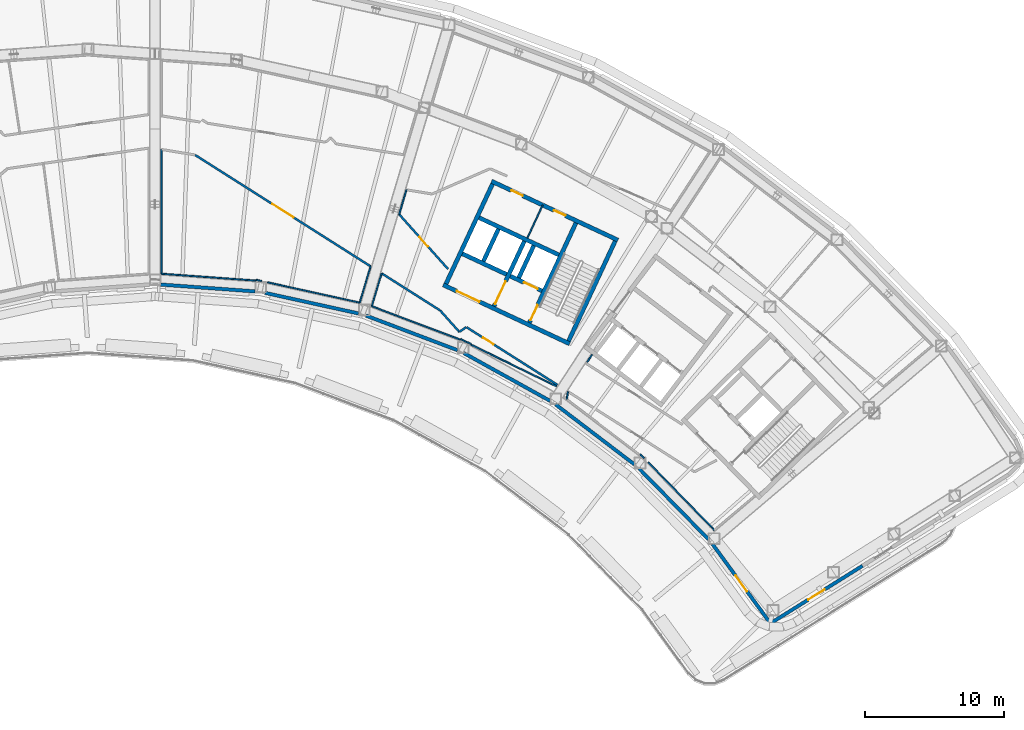
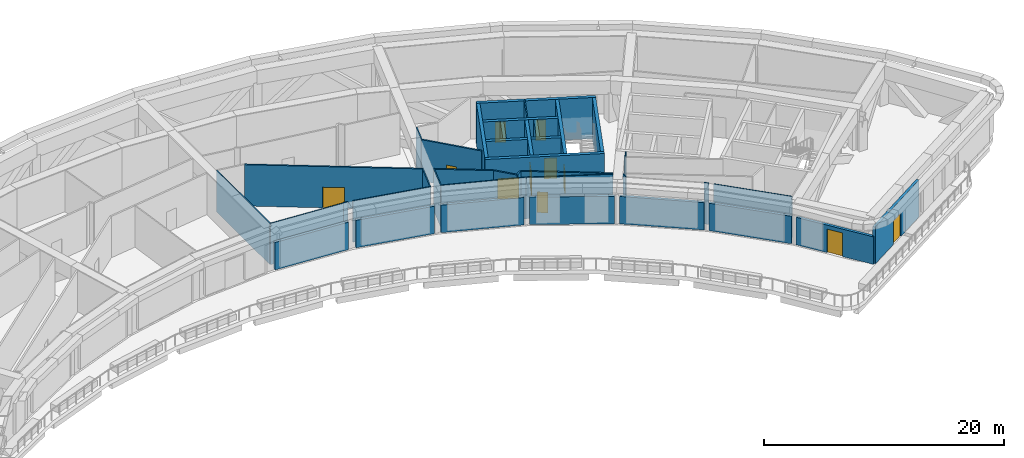
# One storey, part 9 of 25: 41 walls, 11 doors, 11 openings.
"""IFC4 building model written with IfcOpenShell, lengths in metres."""

import ifcopenshell
import ifcopenshell.guid

model = None  # the IFC model being written
_history = None  # IfcOwnerHistory: only IFC2X3 demands one
_inside = {}  # id of a spatial element -> (the spatial element, [elements in it])
_under = {}  # id of a project, library or spatial element -> (it, [spatial elements below it])
_declared = {}  # id of a project -> (the project, [libraries it declares])
_typed = {}  # id of a type object -> (the type object, [elements of that type])
_made_of = {}  # id of a material, layer set ... -> (it, [elements and type objects made of it])


def new_model(schema):
    """Start an empty IFC model of exactly this schema.

    Asked for "IFC4X3", IfcOpenShell would pick the latest addendum, in which some entities
    have other attributes; the version numbers below select the first issue.
    IFC2X3 requires an IfcOwnerHistory on every rooted entity: one is made here for all.
    """
    global model, _history
    if schema == "IFC4X3":
        model = ifcopenshell.file(schema_version=(4, 3, 0, 0))
    else:
        model = ifcopenshell.file(schema=schema)
    _inside.clear()
    _under.clear()
    _declared.clear()
    _typed.clear()
    _made_of.clear()
    _history = None
    if model.schema == "IFC2X3":
        org = make("IfcOrganization", Name="unknown")
        user = make(
            "IfcPersonAndOrganization",
            ThePerson=make("IfcPerson", FamilyName="unknown"),
            TheOrganization=org,
        )
        app = make(
            "IfcApplication",
            ApplicationDeveloper=org,
            Version="unknown",
            ApplicationFullName="unknown",
            ApplicationIdentifier="unknown",
        )
        _history = make(
            "IfcOwnerHistory",
            OwningUser=user,
            OwningApplication=app,
            ChangeAction="ADDED",
            CreationDate=0,
        )
    return model


def make(cls, **values):
    """One entity of the class cls with the attributes given. An attribute that is None is left unset."""
    return model.create_entity(
        cls, **{name: value for name, value in values.items() if value is not None}
    )


def rooted(cls, **values):
    """An entity with a GlobalId (a new one), such as an element, a storey or a relation."""
    return make(cls, GlobalId=ifcopenshell.guid.new(), OwnerHistory=_history, **values)


def si_unit(unit_type, name, prefix=None):
    """IfcSIUnit, for example si_unit("LENGTHUNIT", "METRE", prefix="MILLI")."""
    return make("IfcSIUnit", UnitType=unit_type, Prefix=prefix, Name=name)


def assignment(units):
    """IfcUnitAssignment: the units of a project."""
    return None if units is None else make("IfcUnitAssignment", Units=units)


def point(xyz):
    """IfcCartesianPoint."""
    return None if xyz is None else make("IfcCartesianPoint", Coordinates=xyz)


def direction(xyz):
    """IfcDirection."""
    return None if xyz is None else make("IfcDirection", DirectionRatios=xyz)


def frame(location, z_axis=None, x_axis=None):
    """IfcAxis2Placement3D, a coordinate frame: its origin and axes. An axis left out is left unset."""
    return make(
        "IfcAxis2Placement3D",
        Location=point(location),
        Axis=direction(z_axis),
        RefDirection=direction(x_axis),
    )


def frame_2d(location, x_axis=None):
    """IfcAxis2Placement2D, a coordinate frame in the plane: its origin and x axis."""
    return make(
        "IfcAxis2Placement2D", Location=point(location), RefDirection=direction(x_axis)
    )


def origin():
    """The frame at (0, 0, 0) with its axes left unset."""
    return frame((0.0, 0.0, 0.0))


def place(relative_to, where):
    """IfcLocalPlacement: puts the frame where relative to a parent placement (None: the world)."""
    return make(
        "IfcLocalPlacement", PlacementRelTo=relative_to, RelativePlacement=where
    )


def context(
    kind, dimensions, precision=None, world=None, true_north=None, identifier=None
):
    """IfcGeometricRepresentationContext, for example the 3D "Model" context."""
    return make(
        "IfcGeometricRepresentationContext",
        ContextIdentifier=identifier,
        ContextType=kind,
        CoordinateSpaceDimension=dimensions,
        Precision=precision,
        WorldCoordinateSystem=world,
        TrueNorth=true_north,
    )


def subcontext(parent, identifier, kind, view, scale=None):
    """IfcGeometricRepresentationSubContext, for example "Body" below "Model"."""
    return make(
        "IfcGeometricRepresentationSubContext",
        ContextIdentifier=identifier,
        ContextType=kind,
        ParentContext=parent,
        TargetScale=scale,
        TargetView=view,
    )


def project(units=None, contexts=None):
    """IfcProject with its units and contexts."""
    return rooted(
        "IfcProject",
        Name="project",
        RepresentationContexts=contexts,
        UnitsInContext=assignment(units),
    )


def spatial(cls, under=None, at=None, **own):
    """A site, building, storey or space (cls), placed at a placement, below another one or the project."""
    s = rooted(cls, ObjectPlacement=at, **own)
    if under is not None:
        _under.setdefault(under.id(), (under, []))[1].append(s)
    return s


def profile(cls, at=None, kind="AREA", **sizes):
    """A parametric profile (cls). Its sizes go by their IFC names, for example OverallWidth=200.0."""
    return make(cls, ProfileType=kind, Position=at, **sizes)


def rectangle(**sizes):
    """IfcRectangleProfileDef."""
    return profile("IfcRectangleProfileDef", **sizes)


def extrude(swept, where, along, depth):
    """IfcExtrudedAreaSolid: the profile swept, set in the frame where, extruded along a direction by depth."""
    return make(
        "IfcExtrudedAreaSolid",
        SweptArea=swept,
        Position=where,
        ExtrudedDirection=direction(along),
        Depth=depth,
    )


def shape(context_of_items, identifier, shape_type, items):
    """IfcShapeRepresentation: the items that make up one representation, for example the "Body"."""
    return make(
        "IfcShapeRepresentation",
        ContextOfItems=context_of_items,
        RepresentationIdentifier=identifier,
        RepresentationType=shape_type,
        Items=items,
    )


def material(Name=None, Category=None):
    """IfcMaterial."""
    return make("IfcMaterial", Name=Name, Category=Category)


def layer(
    of_material, thickness, ventilated=None, Name=None, Category=None, Priority=None
):
    """IfcMaterialLayer: one layer of a wall or slab, of a material (None: an air gap)."""
    return make(
        "IfcMaterialLayer",
        Material=of_material,
        LayerThickness=thickness,
        IsVentilated=ventilated,
        Name=Name,
        Category=Category,
        Priority=Priority,
    )


def layer_set(layers, Name=None):
    """IfcMaterialLayerSet."""
    return make("IfcMaterialLayerSet", MaterialLayers=layers, LayerSetName=Name)


def made_of(thing, what):
    """Note that an element or type object is made of a material, layer set ...; save() writes the relation."""
    if what is not None:
        _made_of.setdefault(what.id(), (what, []))[1].append(thing)
    return thing


def type_object(cls, material=None, **own):
    """A type object (cls), such as IfcWallType, which elements share."""
    return made_of(rooted(cls, **own), material)


def element(
    cls,
    number,
    at=None,
    inside=None,
    cuts=None,
    type_object=None,
    material=None,
    context=None,
    identifier="Body",
    shape_type=None,
    held_by="IfcProductDefinitionShape",
    body=None,
    shapes=None,
    **own,
):
    """One element of the class cls, such as IfcWall. Its Tag is "e" and its number.

    at: its placement. inside: the storey or other place that contains it. cuts: it is an
    opening in that element (IfcRelVoidsElement). A single representation is given by context,
    identifier, shape_type and body (its items); several are given by shapes. held_by: the class
    of the entity that holds the representations. save() writes the other relations.
    """
    e = rooted(cls, Tag="e%d" % number, ObjectPlacement=at, **own)
    if body is not None:
        shapes = [shape(context, identifier, shape_type, body)]
    if shapes is not None:
        e.Representation = make(held_by, Representations=shapes)
    if inside is not None:
        _inside.setdefault(inside.id(), (inside, []))[1].append(e)
    if cuts is not None:
        rooted(
            "IfcRelVoidsElement", RelatingBuildingElement=cuts, RelatedOpeningElement=e
        )
    if type_object is not None:
        _typed.setdefault(type_object.id(), (type_object, []))[1].append(e)
    return made_of(e, material)


def fill(opening, filler):
    """IfcRelFillsElement: the door or window that sits in an opening."""
    return rooted(
        "IfcRelFillsElement",
        RelatingOpeningElement=opening,
        RelatedBuildingElement=filler,
    )


def aggregate(whole, parts):
    """IfcRelAggregates: a whole, such as a stair, and the parts it consists of."""
    return rooted("IfcRelAggregates", RelatingObject=whole, RelatedObjects=parts)


def save(model, path):
    """Write the relations noted so far, then the file.

    IfcRelAggregates (storeys below a building ...), IfcRelContainedInSpatialStructure (elements
    in a storey), IfcRelDefinesByType, IfcRelAssociatesMaterial and IfcRelDeclares: one each for
    every whole, place, type object, material and project.
    """
    for whole, parts in _under.values():
        aggregate(whole, parts)
    for where, things in _inside.values():
        rooted(
            "IfcRelContainedInSpatialStructure",
            RelatedElements=things,
            RelatingStructure=where,
        )
    for kind, things in _typed.values():
        rooted("IfcRelDefinesByType", RelatedObjects=things, RelatingType=kind)
    for what, things in _made_of.values():
        rooted("IfcRelAssociatesMaterial", RelatedObjects=things, RelatingMaterial=what)
    for by, libraries in _declared.values():
        rooted("IfcRelDeclares", RelatingContext=by, RelatedDefinitions=libraries)
    model.write(path)


model = new_model("IFC4")

# Units and contexts
model_context = context("Model", 3, precision=1e-05, world=origin(), true_north=direction((0.0, 1.0)))
body_context = subcontext(model_context, "Body", "Model", "MODEL_VIEW")
ifc_project = project(units=[si_unit("LENGTHUNIT", "METRE"), si_unit("AREAUNIT", "SQUARE_METRE"), si_unit("VOLUMEUNIT", "CUBIC_METRE"), si_unit("PLANEANGLEUNIT", "RADIAN"), si_unit("MASSUNIT", "GRAM", prefix="KILO")], contexts=[model_context])

# Site, building, storey
site_placement = place(None, origin())
site = spatial("IfcSite", under=ifc_project, at=site_placement, CompositionType="ELEMENT")
building_placement = place(site_placement, origin())
building = spatial("IfcBuilding", under=site, at=building_placement, Name="Tuul Gate Civic Tower", CompositionType="ELEMENT")
storey_placement = place(building_placement, frame((0.0, 0.0, 60.89990234375)))
storey = spatial("IfcBuildingStorey", under=building, at=storey_placement, Name="Plant and refuge floor 2", CompositionType="ELEMENT", Elevation=60.89990234375)

# Wall, opening, door
ifc_material_1 = material(Name="Concrete C50/60", Category="concrete")
ifc_layer_1 = layer(ifc_material_1, 0.300048828125)
ifc_layer_set_1 = layer_set([ifc_layer_1], Name="Concrete C50/60")
wall_type_1 = type_object("IfcWallType", Name="Core wall C50/60", PredefinedType="SHEAR", material=ifc_layer_set_1)
wall_1_placement = place(storey_placement, frame((34.5283203125, -7.25, 0.0), z_axis=(0.0, 0.0, 1.0), x_axis=(-0.906310338845, 0.422612789327, 0.0)))
wall_1 = element("IfcWall", 1, at=wall_1_placement, inside=storey, type_object=wall_type_1, Name="Core wall", PredefinedType="SHEAR", context=body_context, shape_type="SweptSolid", body=[
    extrude(rectangle(XDim=9.999755859375, YDim=0.300048828125, at=frame_2d((5.0, 0.0))), origin(), (0.0, 0.0, 1.0), 4.2001953125),
])
opening_1_placement = place(wall_1_placement, frame((7.125, 0.0, 0.0)))
opening_1 = element("IfcOpeningElement", 2, at=opening_1_placement, cuts=wall_1, Name="Opening LB-E3-LOBBY-1", PredefinedType="OPENING", context=body_context, shape_type="SweptSolid", body=[
    extrude(rectangle(XDim=1.800048828125, YDim=2.10009765625, at=frame_2d((0.89990234375, 1.050048828125))), frame((0.0, 0.16015625, 0.0), z_axis=(0.0, -1.0, 0.0), x_axis=(1.0, 0.0, 0.0)), (0.0, 0.0, 1.0), 0.320068359375),
])
ifc_material_2 = material(Name="Steel", Category="steel")
door_type_1 = type_object("IfcDoorType", Name="Lobby door", OperationType="DOUBLE_DOOR_SINGLE_SWING", PredefinedType="DOOR", material=ifc_material_2)
door_1_placement = place(opening_1_placement, frame((1.800048828125, 0.0, 0.0), z_axis=(0.0, 0.0, 1.0), x_axis=(-1.0, 0.0, 0.0)))
door_1 = element("IfcDoor", 3, at=door_1_placement, inside=storey, type_object=door_type_1, Name="Lobby door E3-LOBBY", OperationType="DOUBLE_DOOR_SINGLE_SWING", OverallHeight=2.10009765625, OverallWidth=1.800048828125, PredefinedType="DOOR", context=body_context, shape_type="SweptSolid", body=[
    extrude(rectangle(XDim=1.800048828125, YDim=2.10009765625, at=frame_2d((0.900146484375, 1.050048828125))), frame((0.0, 0.02490234375, 0.0), z_axis=(0.0, -1.0, 0.0), x_axis=(1.0, 0.0, 0.0)), (0.0, 0.0, 1.0), 0.050048828125),
])
fill(opening_1, door_1)

wall_2_placement = place(storey_placement, frame((32.545654296875, -3.456787109375, 0.0), z_axis=(0.0, 0.0, 1.0), x_axis=(-0.906300357825, 0.42263419337, 0.0)))
wall_2 = element("IfcWall", 4, at=wall_2_placement, inside=storey, type_object=wall_type_1, Name="Core wall", PredefinedType="SHEAR", context=body_context, shape_type="SweptSolid", body=[
    extrude(rectangle(XDim=2.500244140625, YDim=0.300048828125, at=frame_2d((1.25, 0.0))), origin(), (0.0, 0.0, 1.0), 4.2001953125),
])
opening_2_placement = place(wall_2_placement, frame((0.324951171875, 0.0, 0.0)))
opening_2 = element("IfcOpeningElement", 5, at=opening_2_placement, cuts=wall_2, Name="Opening LD-FF-2", PredefinedType="OPENING", context=body_context, shape_type="SweptSolid", body=[
    extrude(rectangle(XDim=1.10009765625, YDim=2.10009765625, at=frame_2d((0.550048828125, 1.050048828125))), frame((0.0, 0.16015625, 0.0), z_axis=(0.0, -1.0, 0.0), x_axis=(1.0, 0.0, 0.0)), (0.0, 0.0, 1.0), 0.320068359375),
])
ifc_material_3 = material(Name="Stainless steel", Category="steel")
door_type_2 = type_object("IfcDoorType", Name="Landing door", OperationType="DOUBLE_DOOR_SLIDING", PredefinedType="DOOR", material=ifc_material_3)
door_2_placement = place(opening_2_placement, origin())
door_2 = element("IfcDoor", 6, at=door_2_placement, inside=storey, type_object=door_type_2, Name="Fire-fighting lift FF-2 landing door", OperationType="DOUBLE_DOOR_SLIDING", OverallHeight=2.10009765625, OverallWidth=1.10009765625, PredefinedType="DOOR", context=body_context, shape_type="SweptSolid", body=[
    extrude(rectangle(XDim=1.10009765625, YDim=2.10009765625, at=frame_2d((0.550048828125, 1.050048828125))), frame((0.0, 0.02490234375, 0.0), z_axis=(0.0, -1.0, 0.0), x_axis=(1.0, 0.0, 0.0)), (0.0, 0.0, 1.0), 0.050048828125),
])
fill(opening_2, door_2)

# Walls
wall_3_placement = place(storey_placement, frame((30.0078125, -2.2734375, 0.0), z_axis=(0.0, 0.0, 1.0), x_axis=(-0.90630071767, 0.422633421716, 0.0)))
element("IfcWall", 7, at=wall_3_placement, inside=storey, type_object=wall_type_1, Name="Core wall", PredefinedType="SHEAR", context=body_context, shape_type="SweptSolid", body=[
    extrude(rectangle(XDim=3.5, YDim=0.300048828125, at=frame_2d((1.75, 0.0))), origin(), (0.0, 0.0, 1.0), 4.2001953125),
])
wall_4_placement = place(storey_placement, frame((33.75, -0.873779296875, 0.0), z_axis=(0.0, 0.0, 1.0), x_axis=(-0.906300917592, 0.422632992999, 0.0)))
element("IfcWall", 8, at=wall_4_placement, inside=storey, type_object=wall_type_1, Name="Core wall", PredefinedType="SHEAR", context=body_context, shape_type="SweptSolid", body=[
    extrude(rectangle(XDim=6.300048828125, YDim=0.300048828125, at=frame_2d((3.14990234375, 0.0))), origin(), (0.0, 0.0, 1.0), 4.2001953125),
])

# Wall, openings, doors
wall_5_placement = place(storey_placement, frame((37.993408203125, 0.181884765625, 0.0), z_axis=(0.0, 0.0, 1.0), x_axis=(-0.906310338845, 0.422612789327, 0.0)))
wall_5 = element("IfcWall", 9, at=wall_5_placement, inside=storey, type_object=wall_type_1, Name="Core wall", PredefinedType="SHEAR", context=body_context, shape_type="SweptSolid", body=[
    extrude(rectangle(XDim=9.999755859375, YDim=0.300048828125, at=frame_2d((5.0, 0.0))), origin(), (0.0, 0.0, 1.0), 4.2001953125),
])
opening_3_placement = place(wall_5_placement, frame((4.14990234375, 0.0, 0.0)))
opening_3 = element("IfcOpeningElement", 10, at=opening_3_placement, cuts=wall_5, Name="Opening PA-D27", PredefinedType="OPENING", context=body_context, shape_type="SweptSolid", body=[
    extrude(rectangle(XDim=0.89990234375, YDim=2.10009765625, at=frame_2d((0.449951171875, 1.050048828125))), frame((0.0, 0.16015625, 0.0), z_axis=(0.0, -1.0, 0.0), x_axis=(1.0, 0.0, 0.0)), (0.0, 0.0, 1.0), 0.320068359375),
])
opening_4_placement = place(wall_5_placement, frame((7.52490234375, 0.0, 0.0)))
opening_4 = element("IfcOpeningElement", 11, at=opening_4_placement, cuts=wall_5, Name="Opening PA-D28", PredefinedType="OPENING", context=body_context, shape_type="SweptSolid", body=[
    extrude(rectangle(XDim=0.89990234375, YDim=2.10009765625, at=frame_2d((0.449951171875, 1.050048828125))), frame((0.0, 0.16015625, 0.0), z_axis=(0.0, -1.0, 0.0), x_axis=(1.0, 0.0, 0.0)), (0.0, 0.0, 1.0), 0.320068359375),
])
ifc_material_4 = material(Name="Timber door leaf", Category="wood")
door_type_3 = type_object("IfcDoorType", Name="Door D09", OperationType="NOTDEFINED", PredefinedType="DOOR", material=ifc_material_4)
door_3_placement = place(opening_3_placement, origin())
door_3 = element("IfcDoor", 12, at=door_3_placement, inside=storey, type_object=door_type_3, Name="Door PA-D27", OperationType="SINGLE_SWING_LEFT", OverallHeight=2.10009765625, OverallWidth=0.89990234375, PredefinedType="DOOR", context=body_context, shape_type="SweptSolid", body=[
    extrude(rectangle(XDim=0.89990234375, YDim=2.10009765625, at=frame_2d((0.449951171875, 1.050048828125))), frame((0.0, 0.02490234375, 0.0), z_axis=(0.0, -1.0, 0.0), x_axis=(1.0, 0.0, 0.0)), (0.0, 0.0, 1.0), 0.050048828125),
])
fill(opening_3, door_3)
door_4_placement = place(opening_4_placement, origin())
door_4 = element("IfcDoor", 13, at=door_4_placement, inside=storey, type_object=door_type_3, Name="Door PA-D28", OperationType="SINGLE_SWING_RIGHT", OverallHeight=2.10009765625, OverallWidth=0.89990234375, PredefinedType="DOOR", context=body_context, shape_type="SweptSolid", body=[
    extrude(rectangle(XDim=0.89990234375, YDim=2.10009765625, at=frame_2d((0.449951171875, 1.050048828125))), frame((0.0, 0.02490234375, 0.0), z_axis=(0.0, -1.0, 0.0), x_axis=(1.0, 0.0, 0.0)), (0.0, 0.0, 1.0), 0.050048828125),
])
fill(opening_4, door_4)

# Wall
wall_6_placement = place(storey_placement, frame((34.455810546875, -7.05078125, 0.0), z_axis=(0.0, 0.0, 1.0), x_axis=(0.422570768258, 0.906329932096, 0.0)))
element("IfcWall", 14, at=wall_6_placement, inside=storey, type_object=wall_type_1, Name="Core wall", PredefinedType="SHEAR", context=body_context, shape_type="SweptSolid", body=[
    extrude(rectangle(XDim=7.900146484375, YDim=0.300048828125, at=frame_2d((3.9501953125, 0.0))), origin(), (0.0, 0.0, 1.0), 4.2001953125),
])

# Wall, opening, door
wall_7_placement = place(storey_placement, frame((31.646240234375, -5.740478515625, 0.0), z_axis=(0.0, 0.0, 1.0), x_axis=(0.422582604137, 0.906324413596, 0.0)))
wall_7 = element("IfcWall", 15, at=wall_7_placement, inside=storey, type_object=wall_type_1, Name="Core wall", PredefinedType="SHEAR", context=body_context, shape_type="SweptSolid", body=[
    extrude(rectangle(XDim=7.89990234375, YDim=0.300048828125, at=frame_2d((3.949951171875, 0.0))), origin(), (0.0, 0.0, 1.0), 4.2001953125),
])
opening_5_placement = place(wall_7_placement, frame((0.199951171875, 0.0, 0.0)))
opening_5 = element("IfcOpeningElement", 16, at=opening_5_placement, cuts=wall_7, Name="Opening SD-ST-4", PredefinedType="OPENING", context=body_context, shape_type="SweptSolid", body=[
    extrude(rectangle(XDim=1.199951171875, YDim=2.10009765625, at=frame_2d((0.60009765625, 1.050048828125))), frame((0.0, 0.16015625, 0.0), z_axis=(0.0, -1.0, 0.0), x_axis=(1.0, 0.0, 0.0)), (0.0, 0.0, 1.0), 0.320068359375),
])
ifc_material_5 = material(Name="Steel", Category="steel")
door_type_4 = type_object("IfcDoorType", Name="Stair door", OperationType="NOTDEFINED", PredefinedType="DOOR", material=ifc_material_5)
door_5_placement = place(opening_5_placement, origin())
door_5 = element("IfcDoor", 17, at=door_5_placement, inside=storey, type_object=door_type_4, Name="Stair door ST-4", OperationType="SINGLE_SWING_LEFT", OverallHeight=2.10009765625, OverallWidth=1.199951171875, PredefinedType="DOOR", context=body_context, shape_type="SweptSolid", body=[
    extrude(rectangle(XDim=1.199951171875, YDim=2.10009765625, at=frame_2d((0.60009765625, 1.050048828125))), frame((0.0, 0.02490234375, 0.0), z_axis=(0.0, -1.0, 0.0), x_axis=(1.0, 0.0, 0.0)), (0.0, 0.0, 1.0), 0.050048828125),
])
fill(opening_5, door_5)

# Wall
wall_8_placement = place(storey_placement, frame((30.886962890625, -2.517822265625, 0.0), z_axis=(0.0, 0.0, 1.0), x_axis=(0.422612891016, 0.906310291427, 0.0)))
element("IfcWall", 18, at=wall_8_placement, inside=storey, type_object=wall_type_1, Name="Core wall", PredefinedType="SHEAR", context=body_context, shape_type="SweptSolid", body=[
    extrude(rectangle(XDim=2.550048828125, YDim=0.300048828125, at=frame_2d((1.27490234375, 0.0))), origin(), (0.0, 0.0, 1.0), 4.2001953125),
])

# Wall, opening, door
wall_9_placement = place(storey_placement, frame((29.108642578125, -4.557373046875, 0.0), z_axis=(0.0, 0.0, 1.0), x_axis=(0.422566235356, 0.90633204552, 0.0)))
wall_9 = element("IfcWall", 19, at=wall_9_placement, inside=storey, type_object=wall_type_1, Name="Core wall", PredefinedType="SHEAR", context=body_context, shape_type="SweptSolid", body=[
    extrude(rectangle(XDim=5.150146484375, YDim=0.300048828125, at=frame_2d((2.5751953125, 0.0))), origin(), (0.0, 0.0, 1.0), 4.2001953125),
])
opening_6_placement = place(wall_9_placement, frame((0.175048828125, 0.0, 0.0)))
opening_6 = element("IfcOpeningElement", 20, at=opening_6_placement, cuts=wall_9, Name="Opening LB-E3-FLOBBY-1", PredefinedType="OPENING", context=body_context, shape_type="SweptSolid", body=[
    extrude(rectangle(XDim=1.800048828125, YDim=2.10009765625, at=frame_2d((0.89990234375, 1.050048828125))), frame((0.0, 0.16015625, 0.0), z_axis=(0.0, -1.0, 0.0), x_axis=(1.0, 0.0, 0.0)), (0.0, 0.0, 1.0), 0.320068359375),
])
door_6_placement = place(opening_6_placement, frame((1.800048828125, 0.0, 0.0), z_axis=(0.0, 0.0, 1.0), x_axis=(-1.0, 0.0, 0.0)))
door_6 = element("IfcDoor", 21, at=door_6_placement, inside=storey, type_object=door_type_1, Name="Lobby door E3-FLOBBY", OperationType="DOUBLE_DOOR_SINGLE_SWING", OverallHeight=2.10009765625, OverallWidth=1.800048828125, PredefinedType="DOOR", context=body_context, shape_type="SweptSolid", body=[
    extrude(rectangle(XDim=1.800048828125, YDim=2.10009765625, at=frame_2d((0.900146484375, 1.050048828125))), frame((0.0, 0.02490234375, 0.0), z_axis=(0.0, -1.0, 0.0), x_axis=(1.0, 0.0, 0.0)), (0.0, 0.0, 1.0), 0.050048828125),
])
fill(opening_6, door_6)

# Walls
wall_10_placement = place(storey_placement, frame((28.349365234375, -1.33447265625, 0.0), z_axis=(0.0, 0.0, 1.0), x_axis=(0.422612891016, 0.906310291427, 0.0)))
element("IfcWall", 22, at=wall_10_placement, inside=storey, type_object=wall_type_1, Name="Core wall", PredefinedType="SHEAR", context=body_context, shape_type="SweptSolid", body=[
    extrude(rectangle(XDim=2.550048828125, YDim=0.300048828125, at=frame_2d((1.27490234375, 0.0))), origin(), (0.0, 0.0, 1.0), 4.2001953125),
])
wall_11_placement = place(storey_placement, frame((25.66455078125, -2.951416015625, 0.0), z_axis=(0.0, 0.0, 1.0), x_axis=(0.422582604137, 0.906324413596, 0.0)))
element("IfcWall", 23, at=wall_11_placement, inside=storey, type_object=wall_type_1, Name="Core wall", PredefinedType="SHEAR", context=body_context, shape_type="SweptSolid", body=[
    extrude(rectangle(XDim=7.89990234375, YDim=0.300048828125, at=frame_2d((3.949951171875, 0.0))), origin(), (0.0, 0.0, 1.0), 4.2001953125),
])
ifc_material_6 = material(Name="Gypsum board partition")
ifc_layer_2 = layer(ifc_material_6, 0.14990234375)
ifc_layer_set_2 = layer_set([ifc_layer_2], Name="Gypsum board partition")
wall_type_2 = type_object("IfcWallType", Name="Corridor wall P150", PredefinedType="PARTITIONING", material=ifc_layer_set_2)
wall_12_placement = place(storey_placement, frame((25.25048828125, -4.864501953125, 0.0), z_axis=(0.0, 0.0, 1.0), x_axis=(0.666277611425, -0.745703791404, 0.0)))
element("IfcWall", 24, at=wall_12_placement, inside=storey, type_object=wall_type_2, Name="p001", PredefinedType="PARTITIONING", context=body_context, shape_type="SweptSolid", body=[
    extrude(rectangle(XDim=2.056396484375, YDim=0.14990234375, at=frame_2d((1.0283203125, 0.0))), origin(), (0.0, 0.0, 1.0), 4.2001953125),
])
wall_13_placement = place(storey_placement, frame((26.62109375, -6.398193359375, 0.0), z_axis=(0.0, 0.0, 1.0), x_axis=(0.823456635261, 0.567379211678, 0.0)))
element("IfcWall", 25, at=wall_13_placement, inside=storey, type_object=wall_type_2, Name="p002", PredefinedType="PARTITIONING", context=body_context, shape_type="SweptSolid", body=[
    extrude(rectangle(XDim=0.596923828125, YDim=0.14990234375, at=frame_2d((0.29833984375, 0.0))), origin(), (0.0, 0.0, 1.0), 4.2001953125),
])

# Wall, opening, door
wall_14_placement = place(storey_placement, frame((7.677490234375, 6.286865234375, 0.0), z_axis=(0.0, 0.0, 1.0), x_axis=(0.844362493946, -0.535772319944, 0.0)))
wall_14 = element("IfcWall", 26, at=wall_14_placement, inside=storey, type_object=wall_type_2, Name="p003", PredefinedType="PARTITIONING", context=body_context, shape_type="SweptSolid", body=[
    extrude(rectangle(XDim=14.89892578125, YDim=0.14990234375, at=frame_2d((7.449462890625, 0.0))), origin(), (0.0, 0.0, 1.0), 4.2001953125),
])
opening_7_placement = place(wall_14_placement, frame((6.549560546875, 0.0, 0.0)))
opening_7 = element("IfcOpeningElement", 27, at=opening_7_placement, cuts=wall_14, Name="Opening PA-D091", PredefinedType="OPENING", context=body_context, shape_type="SweptSolid", body=[
    extrude(rectangle(XDim=1.800048828125, YDim=2.10009765625, at=frame_2d((0.89990234375, 1.050048828125))), frame((0.0, 0.0849609375, 0.0), z_axis=(0.0, -1.0, 0.0), x_axis=(1.0, 0.0, 0.0)), (0.0, 0.0, 1.0), 0.169921875),
])
ifc_material_7 = material(Name="Timber door leaf, double", Category="wood")
door_type_5 = type_object("IfcDoorType", Name="Door D18", OperationType="DOUBLE_DOOR_SINGLE_SWING", PredefinedType="DOOR", material=ifc_material_7)
door_7_placement = place(opening_7_placement, frame((1.800048828125, 0.0, 0.0), z_axis=(0.0, 0.0, 1.0), x_axis=(-1.0, 0.0, 0.0)))
door_7 = element("IfcDoor", 28, at=door_7_placement, inside=storey, type_object=door_type_5, Name="Door PA-D09", OperationType="DOUBLE_DOOR_SINGLE_SWING", OverallHeight=2.10009765625, OverallWidth=1.800048828125, PredefinedType="DOOR", context=body_context, shape_type="SweptSolid", body=[
    extrude(rectangle(XDim=1.800048828125, YDim=2.10009765625, at=frame_2d((0.900146484375, 1.050048828125))), frame((0.0, 0.02490234375, 0.0), z_axis=(0.0, -1.0, 0.0), x_axis=(1.0, 0.0, 0.0)), (0.0, 0.0, 1.0), 0.050048828125),
])
fill(opening_7, door_7)

# Wall
wall_15_placement = place(storey_placement, frame((21.047607421875, -2.196533203125, 0.0), z_axis=(0.0, 0.0, 1.0), x_axis=(0.844354193832, -0.535785400471, 0.0)))
element("IfcWall", 29, at=wall_15_placement, inside=storey, type_object=wall_type_2, Name="p004", PredefinedType="PARTITIONING", context=body_context, shape_type="SweptSolid", body=[
    extrude(rectangle(XDim=4.97265625, YDim=0.14990234375, at=frame_2d((2.486328125, 0.0))), origin(), (0.0, 0.0, 1.0), 4.2001953125),
])

# Wall, opening, door
wall_16_placement = place(storey_placement, frame((27.134765625, -6.05908203125, 0.0), z_axis=(0.0, 0.0, 1.0), x_axis=(0.844358863939, -0.535778040692, 0.0)))
wall_16 = element("IfcWall", 30, at=wall_16_placement, inside=storey, type_object=wall_type_2, Name="p005", PredefinedType="PARTITIONING", context=body_context, shape_type="SweptSolid", body=[
    extrude(rectangle(XDim=7.71875, YDim=0.14990234375, at=frame_2d((3.859375, 0.0))), origin(), (0.0, 0.0, 1.0), 4.2001953125),
])
opening_8_placement = place(wall_16_placement, frame((1.408935546875, 0.0, 0.0)))
opening_8 = element("IfcOpeningElement", 31, at=opening_8_placement, cuts=wall_16, Name="Opening PA-D01", PredefinedType="OPENING", context=body_context, shape_type="SweptSolid", body=[
    extrude(rectangle(XDim=0.89990234375, YDim=2.10009765625, at=frame_2d((0.449951171875, 1.050048828125))), frame((0.0, 0.0849609375, 0.0), z_axis=(0.0, -1.0, 0.0), x_axis=(1.0, 0.0, 0.0)), (0.0, 0.0, 1.0), 0.169921875),
])
door_8_placement = place(opening_8_placement, origin())
door_8 = element("IfcDoor", 32, at=door_8_placement, inside=storey, type_object=door_type_3, Name="Door PA-D01", OperationType="SINGLE_SWING_RIGHT", OverallHeight=2.10009765625, OverallWidth=0.89990234375, PredefinedType="DOOR", context=body_context, shape_type="SweptSolid", body=[
    extrude(rectangle(XDim=0.89990234375, YDim=2.10009765625, at=frame_2d((0.449951171875, 1.050048828125))), frame((0.0, 0.02490234375, 0.0), z_axis=(0.0, -1.0, 0.0), x_axis=(1.0, 0.0, 0.0)), (0.0, 0.0, 1.0), 0.050048828125),
])
fill(opening_8, door_8)

wall_17_placement = place(storey_placement, frame((22.306396484375, 2.03369140625, 0.0), z_axis=(0.0, 0.0, 1.0), x_axis=(0.66622809569, -0.745748030177, 0.0)))
wall_17 = element("IfcWall", 33, at=wall_17_placement, inside=storey, type_object=wall_type_2, Name="p016", PredefinedType="PARTITIONING", context=body_context, shape_type="SweptSolid", body=[
    extrude(rectangle(XDim=5.277587890625, YDim=0.14990234375, at=frame_2d((2.638671875, 0.0))), origin(), (0.0, 0.0, 1.0), 4.2001953125),
])
opening_9_placement = place(wall_17_placement, frame((2.18896484375, 0.0, 0.0)))
opening_9 = element("IfcOpeningElement", 34, at=opening_9_placement, cuts=wall_17, Name="Opening PA-D071", PredefinedType="OPENING", context=body_context, shape_type="SweptSolid", body=[
    extrude(rectangle(XDim=0.89990234375, YDim=2.10009765625, at=frame_2d((0.449951171875, 1.050048828125))), frame((0.0, 0.0849609375, 0.0), z_axis=(0.0, -1.0, 0.0), x_axis=(1.0, 0.0, 0.0)), (0.0, 0.0, 1.0), 0.169921875),
])
door_9_placement = place(opening_9_placement, origin())
door_9 = element("IfcDoor", 35, at=door_9_placement, inside=storey, type_object=door_type_3, Name="Door PA-D07", OperationType="SINGLE_SWING_RIGHT", OverallHeight=2.10009765625, OverallWidth=0.89990234375, PredefinedType="DOOR", context=body_context, shape_type="SweptSolid", body=[
    extrude(rectangle(XDim=0.89990234375, YDim=2.10009765625, at=frame_2d((0.449951171875, 1.050048828125))), frame((0.0, 0.02490234375, 0.0), z_axis=(0.0, -1.0, 0.0), x_axis=(1.0, 0.0, 0.0)), (0.0, 0.0, 1.0), 0.050048828125),
])
fill(opening_9, door_9)

ifc_material_8 = material(Name="Precast concrete C40/50", Category="concrete")
ifc_layer_3 = layer(ifc_material_8, 0.25)
ifc_layer_set_3 = layer_set([ifc_layer_3], Name="Precast concrete C40/50")
wall_type_3 = type_object("IfcWallType", Name="External wall", PredefinedType="STANDARD", material=ifc_layer_set_3)
wall_18_placement = place(storey_placement, frame((48.928466796875, -27.298095703125, 0.0), z_axis=(0.0, 0.0, 1.0), x_axis=(0.848040575246, 0.529931300015, 0.0)))
wall_18 = element("IfcWall", 36, at=wall_18_placement, inside=storey, type_object=wall_type_3, Name="External wall", PredefinedType="STANDARD", context=body_context, shape_type="SweptSolid", body=[
    extrude(rectangle(XDim=7.786865234375, YDim=0.25, at=frame_2d((3.8935546875, 0.0))), origin(), (0.0, 0.0, 1.0), 3.75),
])
opening_10_placement = place(wall_18_placement, frame((3.199951171875, 0.0, 0.0)))
opening_10 = element("IfcOpeningElement", 37, at=opening_10_placement, cuts=wall_18, Name="Opening TD", PredefinedType="OPENING", context=body_context, shape_type="SweptSolid", body=[
    extrude(rectangle(XDim=1.39990234375, YDim=2.39990234375, at=frame_2d((0.699951171875, 1.199951171875))), frame((0.0, 0.135009765625, 0.0), z_axis=(0.0, -1.0, 0.0), x_axis=(1.0, 0.0, 0.0)), (0.0, 0.0, 1.0), 0.27001953125),
])
ifc_material_9 = material(Name="Glazed aluminium", Category="aluminium")
door_type_6 = type_object("IfcDoorType", Name="Terrace door", OperationType="DOUBLE_DOOR_SINGLE_SWING", PredefinedType="DOOR", material=ifc_material_9)
door_10_placement = place(opening_10_placement, origin())
door_10 = element("IfcDoor", 38, at=door_10_placement, inside=storey, type_object=door_type_6, Name="Terrace door", OperationType="DOUBLE_DOOR_SINGLE_SWING", OverallHeight=2.39990234375, OverallWidth=1.39990234375, PredefinedType="DOOR", context=body_context, shape_type="SweptSolid", body=[
    extrude(rectangle(XDim=1.39990234375, YDim=2.39990234375, at=frame_2d((0.699951171875, 1.199951171875))), frame((0.0, 0.02490234375, 0.0), z_axis=(0.0, -1.0, 0.0), x_axis=(1.0, 0.0, 0.0)), (0.0, 0.0, 1.0), 0.050048828125),
])
fill(opening_10, door_10)

# Walls
ifc_material_10 = material(Name="Precast concrete C40/50", Category="concrete")
ifc_layer_4 = layer(ifc_material_10, 0.25)
ifc_layer_set_4 = layer_set([ifc_layer_4], Name="Precast concrete C40/50")
wall_type_4 = type_object("IfcWallType", Name="External wall 2800 HIGH", PredefinedType="STANDARD", material=ifc_layer_set_4)
wall_19_placement = place(storey_placement, frame((5.2080078125, -3.003662109375, 0.0), z_axis=(0.0, 0.0, 1.0), x_axis=(0.997384795983, -0.072274260578, 0.0)))
element("IfcWall", 39, at=wall_19_placement, inside=storey, type_object=wall_type_4, Name="External wall", PredefinedType="STANDARD", context=body_context, shape_type="SweptSolid", body=[
    extrude(rectangle(XDim=6.789794921875, YDim=0.25, at=frame_2d((3.39501953125, 0.0))), origin(), (0.0, 0.0, 1.0), 2.800048828125),
])
wall_20_placement = place(storey_placement, frame((12.68701171875, -3.597900390625, 0.0), z_axis=(0.0, 0.0, 1.0), x_axis=(0.976561146318, -0.215240162382, 0.0)))
element("IfcWall", 40, at=wall_20_placement, inside=storey, type_object=wall_type_4, Name="External wall", PredefinedType="STANDARD", context=body_context, shape_type="SweptSolid", body=[
    extrude(rectangle(XDim=6.867919921875, YDim=0.25, at=frame_2d((3.43408203125, 0.0))), origin(), (0.0, 0.0, 1.0), 2.800048828125),
])
wall_21_placement = place(storey_placement, frame((19.93115234375, -5.23095703125, 0.0), z_axis=(0.0, 0.0, 1.0), x_axis=(0.935367772721, -0.353676589209, 0.0)))
element("IfcWall", 41, at=wall_21_placement, inside=storey, type_object=wall_type_4, Name="External wall", PredefinedType="STANDARD", context=body_context, shape_type="SweptSolid", body=[
    extrude(rectangle(XDim=7.017578125, YDim=0.25, at=frame_2d((3.5087890625, 0.0))), origin(), (0.0, 0.0, 1.0), 2.800048828125),
])
wall_22_placement = place(storey_placement, frame((26.946533203125, -7.9169921875, 0.0), z_axis=(0.0, 0.0, 1.0), x_axis=(0.874628863521, -0.484793101328, 0.0)))
element("IfcWall", 42, at=wall_22_placement, inside=storey, type_object=wall_type_4, Name="External wall", PredefinedType="STANDARD", context=body_context, shape_type="SweptSolid", body=[
    extrude(rectangle(XDim=7.075439453125, YDim=0.25, at=frame_2d((3.53759765625, 0.0))), origin(), (0.0, 0.0, 1.0), 2.800048828125),
])
wall_23_placement = place(storey_placement, frame((33.523193359375, -11.596923828125, 0.0), z_axis=(0.0, 0.0, 1.0), x_axis=(0.795582375141, -0.605845429433, 0.0)))
element("IfcWall", 43, at=wall_23_placement, inside=storey, type_object=wall_type_4, Name="External wall", PredefinedType="STANDARD", context=body_context, shape_type="SweptSolid", body=[
    extrude(rectangle(XDim=7.10400390625, YDim=0.25, at=frame_2d((3.552001953125, 0.0))), origin(), (0.0, 0.0, 1.0), 2.800048828125),
])
wall_24_placement = place(storey_placement, frame((39.510986328125, -16.196044921875, 0.0), z_axis=(0.0, 0.0, 1.0), x_axis=(0.700085141996, -0.714059377052, 0.0)))
element("IfcWall", 44, at=wall_24_placement, inside=storey, type_object=wall_type_4, Name="External wall", PredefinedType="STANDARD", context=body_context, shape_type="SweptSolid", body=[
    extrude(rectangle(XDim=7.110595703125, YDim=0.25, at=frame_2d((3.55517578125, 0.0))), origin(), (0.0, 0.0, 1.0), 2.800048828125),
])

# Wall, opening, door
wall_25_placement = place(storey_placement, frame((44.779296875, -21.617919921875, 0.0), z_axis=(0.0, 0.0, 1.0), x_axis=(0.589856460688, -0.807508114996, 0.0)))
wall_25 = element("IfcWall", 45, at=wall_25_placement, inside=storey, type_object=wall_type_4, Name="External wall", PredefinedType="STANDARD", context=body_context, shape_type="SweptSolid", body=[
    extrude(rectangle(XDim=7.0341796875, YDim=0.25, at=frame_2d((3.51708984375, 0.0))), origin(), (0.0, 0.0, 1.0), 2.800048828125),
])
opening_11_placement = place(wall_25_placement, frame((2.800048828125, 0.0, 0.0)))
opening_11 = element("IfcOpeningElement", 46, at=opening_11_placement, cuts=wall_25, Name="Opening TD", PredefinedType="OPENING", context=body_context, shape_type="SweptSolid", body=[
    extrude(rectangle(XDim=1.39990234375, YDim=2.39990234375, at=frame_2d((0.699951171875, 1.199951171875))), frame((0.0, 0.135009765625, 0.0), z_axis=(0.0, -1.0, 0.0), x_axis=(1.0, 0.0, 0.0)), (0.0, 0.0, 1.0), 0.27001953125),
])
door_11_placement = place(opening_11_placement, origin())
door_11 = element("IfcDoor", 47, at=door_11_placement, inside=storey, type_object=door_type_6, Name="Terrace door", OperationType="DOUBLE_DOOR_SINGLE_SWING", OverallHeight=2.39990234375, OverallWidth=1.39990234375, PredefinedType="DOOR", context=body_context, shape_type="SweptSolid", body=[
    extrude(rectangle(XDim=1.39990234375, YDim=2.39990234375, at=frame_2d((0.699951171875, 1.199951171875))), frame((0.0, 0.02490234375, 0.0), z_axis=(0.0, -1.0, 0.0), x_axis=(1.0, 0.0, 0.0)), (0.0, 0.0, 1.0), 0.050048828125),
])
fill(opening_11, door_11)

# Walls
ifc_material_11 = material(Name="Gypsum board partition")
ifc_layer_5 = layer(ifc_material_11, 0.10009765625)
ifc_layer_set_5 = layer_set([ifc_layer_5], Name="Gypsum board partition")
wall_type_5 = type_object("IfcWallType", Name="Partition P100", PredefinedType="PARTITIONING", material=ifc_layer_set_5)
wall_26_placement = place(storey_placement, frame((33.583740234375, -10.29931640625, 0.0), z_axis=(0.0, 0.0, 1.0), x_axis=(-0.898941791911, 0.438068093744, 0.0)))
element("IfcWall", 48, at=wall_26_placement, inside=storey, type_object=wall_type_5, Name="p048", PredefinedType="PARTITIONING", context=body_context, shape_type="SweptSolid", body=[
    extrude(rectangle(XDim=6.8193359375, YDim=0.10009765625, at=frame_2d((3.40966796875, 0.0))), origin(), (0.0, 0.0, 1.0), 4.2001953125),
])
for number, where, z_axis, x_axis, name in (
    (49, (27.47509765625, -7.25537109375, 0.0), (0.0, 0.0, 1.0), (-0.93529148989, 0.353878268532, 0.0), "p049"),
    (50, (27.084716796875, -7.107666015625, 0.0), (0.0, 0.0, 1.0), (-0.874680772619, 0.484699438838, 0.0), "p050"),
):
    element("IfcWall", number, at=place(storey_placement, frame(where, z_axis=z_axis, x_axis=x_axis)), inside=storey, type_object=wall_type_5, Name=name, PredefinedType="PARTITIONING", context=body_context, shape_type="SweptSolid", body=[
        extrude(rectangle(XDim=0.41748046875, YDim=0.10009765625, at=frame_2d((0.208740234375, 0.0))), origin(), (0.0, 0.0, 1.0), 4.2001953125),
    ])
wall_27_placement = place(storey_placement, frame((26.690185546875, -6.95849609375, 0.0), z_axis=(0.0, 0.0, 1.0), x_axis=(-0.935315227172, 0.353815525126, 0.0)))
element("IfcWall", 51, at=wall_27_placement, inside=storey, type_object=wall_type_5, Name="p051", PredefinedType="PARTITIONING", context=body_context, shape_type="SweptSolid", body=[
    extrude(rectangle(XDim=6.7841796875, YDim=0.10009765625, at=frame_2d((3.39208984375, 0.0))), origin(), (0.0, 0.0, 1.0), 4.2001953125),
])
wall_28_placement = place(storey_placement, frame((20.3447265625, -4.55810546875, 0.0), z_axis=(0.0, 0.0, 1.0), x_axis=(0.285265514356, 0.958448530866, 0.0)))
element("IfcWall", 52, at=wall_28_placement, inside=storey, type_object=wall_type_5, Name="p052", PredefinedType="PARTITIONING", context=body_context, shape_type="SweptSolid", body=[
    extrude(rectangle(XDim=2.4638671875, YDim=0.10009765625, at=frame_2d((1.23193359375, 0.0))), origin(), (0.0, 0.0, 1.0), 4.2001953125),
])
wall_29_placement = place(storey_placement, frame((44.91748046875, -20.60400390625, 0.0), z_axis=(0.0, 0.0, 1.0), x_axis=(-0.699981815522, 0.714160666754, 0.0)))
element("IfcWall", 53, at=wall_29_placement, inside=storey, type_object=wall_type_5, Name="p058", PredefinedType="PARTITIONING", context=body_context, shape_type="SweptSolid", body=[
    extrude(rectangle(XDim=6.7841796875, YDim=0.10009765625, at=frame_2d((3.39208984375, 0.0))), origin(), (0.0, 0.0, 1.0), 4.2001953125),
])
wall_30_placement = place(storey_placement, frame((39.87353515625, -15.457763671875, 0.0), z_axis=(0.0, 0.0, 1.0), x_axis=(-0.700053868945, 0.714090036743, 0.0)))
element("IfcWall", 54, at=wall_30_placement, inside=storey, type_object=wall_type_5, Name="p059", PredefinedType="PARTITIONING", context=body_context, shape_type="SweptSolid", body=[
    extrude(rectangle(XDim=0.41748046875, YDim=0.10009765625, at=frame_2d((0.208740234375, 0.0))), origin(), (0.0, 0.0, 1.0), 4.2001953125),
])
wall_31_placement = place(storey_placement, frame((34.32177734375, -11.23046875, 0.0), z_axis=(0.0, 0.0, 1.0), x_axis=(0.16101079314, 0.986952645517, 0.0)))
element("IfcWall", 55, at=wall_31_placement, inside=storey, type_object=wall_type_5, Name="p061", PredefinedType="PARTITIONING", context=body_context, shape_type="SweptSolid", body=[
    extrude(rectangle(XDim=0.56103515625, YDim=0.10009765625, at=frame_2d((0.280517578125, 0.0))), origin(), (0.0, 0.0, 1.0), 4.2001953125),
])
wall_32_placement = place(storey_placement, frame((35.792724609375, -8.562255859375, 0.0), z_axis=(0.0, 0.0, 1.0), x_axis=(0.54671843355, 0.837316519852, 0.0)))
element("IfcWall", 56, at=wall_32_placement, inside=storey, type_object=wall_type_5, Name="p062", PredefinedType="PARTITIONING", context=body_context, shape_type="SweptSolid", body=[
    extrude(rectangle(XDim=0.644287109375, YDim=0.10009765625, at=frame_2d((0.322265625, 0.0))), origin(), (0.0, 0.0, 1.0), 4.2001953125),
])
wall_33_placement = place(storey_placement, frame((22.306396484375, 2.03369140625, 0.0), z_axis=(0.0, 0.0, 1.0), x_axis=(0.285138692736, 0.958486267979, 0.0)))
element("IfcWall", 57, at=wall_33_placement, inside=storey, type_object=wall_type_5, Name="p071", PredefinedType="PARTITIONING", context=body_context, shape_type="SweptSolid", body=[
    extrude(rectangle(XDim=1.835693359375, YDim=0.10009765625, at=frame_2d((0.91796875, 0.0))), origin(), (0.0, 0.0, 1.0), 4.2001953125),
])
wall_34_placement = place(storey_placement, frame((20.257568359375, -1.695556640625, 0.0), z_axis=(0.0, 0.0, 1.0), x_axis=(-0.285188781827, -0.958471365623, 0.0)))
element("IfcWall", 58, at=wall_34_placement, inside=storey, type_object=wall_type_5, Name="p077", PredefinedType="PARTITIONING", context=body_context, shape_type="SweptSolid", body=[
    extrude(rectangle(XDim=2.71875, YDim=0.10009765625, at=frame_2d((1.359375, 0.0))), origin(), (0.0, 0.0, 1.0), 4.2001953125),
])
wall_35_placement = place(storey_placement, frame((19.482177734375, -4.301513671875, 0.0), z_axis=(0.0, 0.0, 1.0), x_axis=(-0.976592633351, 0.215097253548, 0.0)))
element("IfcWall", 59, at=wall_35_placement, inside=storey, type_object=wall_type_5, Name="p078", PredefinedType="PARTITIONING", context=body_context, shape_type="SweptSolid", body=[
    extrude(rectangle(XDim=6.783935546875, YDim=0.10009765625, at=frame_2d((3.39208984375, 0.0))), origin(), (0.0, 0.0, 1.0), 4.2001953125),
])
wall_36_placement = place(storey_placement, frame((12.445068359375, -2.75146484375, 0.0), z_axis=(0.0, 0.0, 1.0), x_axis=(-0.976570782862, 0.215196435984, 0.0)))
element("IfcWall", 60, at=wall_36_placement, inside=storey, type_object=wall_type_5, Name="p079", PredefinedType="PARTITIONING", context=body_context, shape_type="SweptSolid", body=[
    extrude(rectangle(XDim=0.41748046875, YDim=0.10009765625, at=frame_2d((0.208740234375, 0.0))), origin(), (0.0, 0.0, 1.0), 4.2001953125),
])
wall_37_placement = place(storey_placement, frame((12.0244140625, -2.720947265625, 0.0), z_axis=(0.0, 0.0, 1.0), x_axis=(-0.99738306627, 0.072298126651, 0.0)))
element("IfcWall", 61, at=wall_37_placement, inside=storey, type_object=wall_type_5, Name="p080", PredefinedType="PARTITIONING", context=body_context, shape_type="SweptSolid", body=[
    extrude(rectangle(XDim=6.7841796875, YDim=0.10009765625, at=frame_2d((3.39208984375, 0.0))), origin(), (0.0, 0.0, 1.0), 4.2001953125),
])
wall_38_placement = place(storey_placement, frame((5.258056640625, -2.23046875, 0.0), z_axis=(0.0, 0.0, 1.0), x_axis=(0.0, 1.0, 0.0)))
element("IfcWall", 62, at=wall_38_placement, inside=storey, type_object=wall_type_5, Name="p081", PredefinedType="PARTITIONING", context=body_context, shape_type="SweptSolid", body=[
    extrude(rectangle(XDim=8.91748046875, YDim=0.10009765625, at=frame_2d((4.458740234375, 0.0))), origin(), (0.0, 0.0, 1.0), 4.2001953125),
])
wall_39_placement = place(storey_placement, frame((31.502197265625, 0.33984375, 0.0), z_axis=(0.0, 0.0, 1.0), x_axis=(0.422556439746, 0.906336612539, 0.0)))
element("IfcWall", 63, at=wall_39_placement, inside=storey, type_object=wall_type_5, Name="bE3-BAND-0", PredefinedType="PARTITIONING", context=body_context, shape_type="SweptSolid", body=[
    extrude(rectangle(XDim=2.599853515625, YDim=0.10009765625, at=frame_2d((1.2998046875, 0.0))), origin(), (0.0, 0.0, 1.0), 4.2001953125),
])

save(model, "model.ifc")
